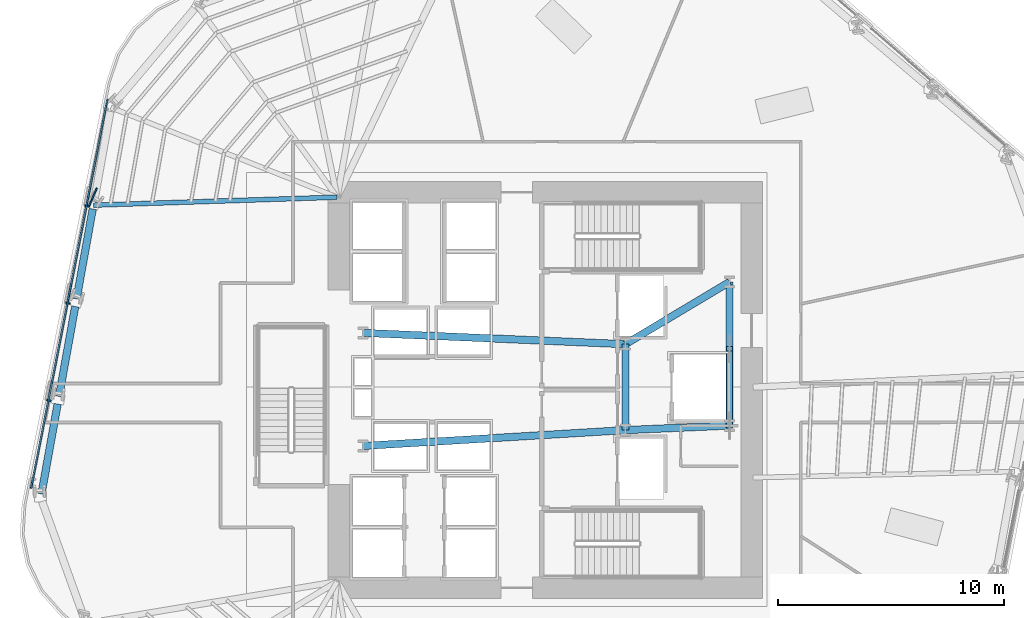
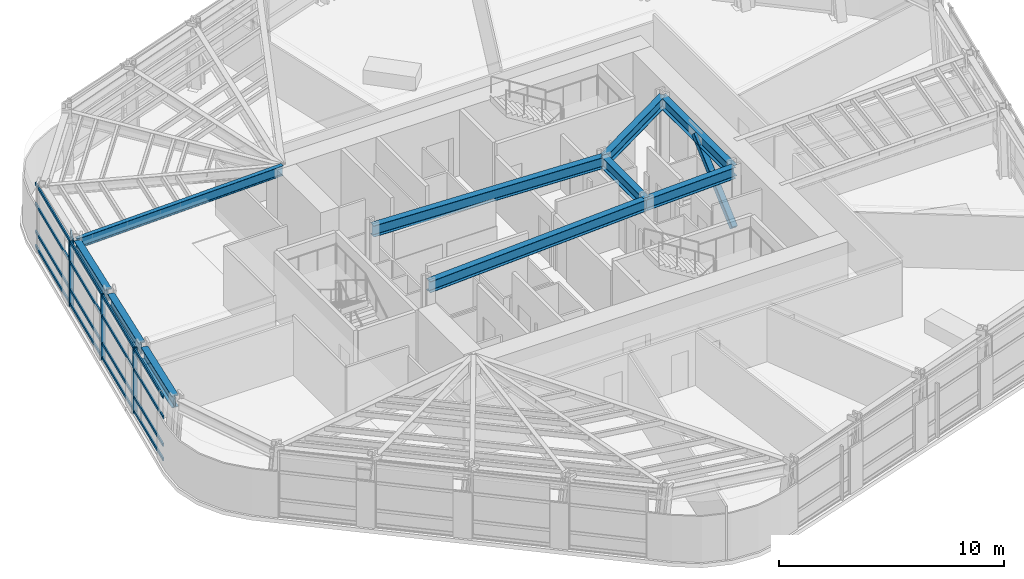
# One storey, part 4 of 16: 10 beams, 9 members, 1 element without a shape of its own.
"""IFC4 building model written with IfcOpenShell, lengths in metres."""

from ifc_helpers import new_model, si_unit, direction, frame, origin, origin_2d, place, context, subcontext, project, spatial, rectangle, hollow_rectangle, i_section, extrude, material, layer, layer_set, material_profile, profile_set, type_object, element, aggregate, save


model = new_model("IFC4")

# Units and contexts
model_context = context("Model", 3, precision=1e-05, world=origin(), true_north=direction((0.0, 1.0)))
body_context = subcontext(model_context, "Body", "Model", "MODEL_VIEW")
ifc_project = project(units=[si_unit("LENGTHUNIT", "METRE"), si_unit("AREAUNIT", "SQUARE_METRE"), si_unit("VOLUMEUNIT", "CUBIC_METRE"), si_unit("PLANEANGLEUNIT", "RADIAN"), si_unit("MASSUNIT", "GRAM", prefix="KILO")], contexts=[model_context])

# Site, building, storey
site_placement = place(None, origin())
site = spatial("IfcSite", under=ifc_project, at=site_placement, CompositionType="ELEMENT")
building_placement = place(site_placement, origin())
building = spatial("IfcBuilding", under=site, at=building_placement, Name="Valkerne Bourse Tower", CompositionType="ELEMENT")
storey_placement = place(building_placement, frame((0.0, 0.0, 104.800048828125)))
storey = spatial("IfcBuildingStorey", under=building, at=storey_placement, Name="L26", CompositionType="ELEMENT", Elevation=104.800048828125)

# Beams
ifc_material_1 = material(Name="Steel ASTM A992", Category="steel")
ifc_material_profile_1 = material_profile(ifc_material_1, i_section(OverallWidth=0.209228515625, OverallDepth=0.533447265625, WebThickness=0.01025390625, FlangeThickness=0.015625, FilletRadius=0.017822265625, at=origin_2d()), Name="W21X62")
ifc_profile_set_1 = profile_set([ifc_material_profile_1], Name="Steel ASTM A992")
beam_type_1 = type_object("IfcBeamType", Name="BM-W21X62", PredefinedType="JOIST", material=ifc_profile_set_1)
beam_1_placement = place(storey_placement, frame((26.82177734375, 35.048095703125, 3.313232421875), z_axis=(0.999467733602, 0.032622836915, 0.0), x_axis=(-0.032622836915, 0.999467733602, 0.0)))
element("IfcBeam", 1, at=beam_1_placement, inside=storey, type_object=beam_type_1, Name="L26 Radial Composite Floor Beam 11", PredefinedType="JOIST", context=body_context, shape_type="SweptSolid", body=[
    extrude(i_section(OverallWidth=0.209228515625, OverallDepth=0.533447265625, WebThickness=0.01025390625, FlangeThickness=0.015625, FilletRadius=0.017822265625, at=origin_2d()), origin(), (0.0, 0.0, 1.0), 10.7841796875),
])
ifc_material_profile_2 = material_profile(ifc_material_1, i_section(OverallWidth=0.3251953125, OverallDepth=0.612060546875, WebThickness=0.0126953125, FlangeThickness=0.01904296875, FilletRadius=0.020263671875, at=origin_2d()), Name="W24X104")
ifc_profile_set_2 = profile_set([ifc_material_profile_2], Name="Steel ASTM A992")
beam_type_2 = type_object("IfcBeamType", Name="BM-W24X104", PredefinedType="BEAM", material=ifc_profile_set_2)
beam_2_placement = place(storey_placement, frame((50.35009765625, 25.10009765625, 3.27392578125), z_axis=(0.0, 1.0, 0.0), x_axis=(-1.0, 0.0, 0.0)))
element("IfcBeam", 2, at=beam_2_placement, inside=storey, type_object=beam_type_2, Name="L26 Core Frame Girder CG-CE", PredefinedType="BEAM", context=body_context, shape_type="SweptSolid", body=[
    extrude(i_section(OverallWidth=0.3251953125, OverallDepth=0.612060546875, WebThickness=0.0126953125, FlangeThickness=0.01904296875, FilletRadius=0.020263671875, at=origin_2d()), origin(), (0.0, 0.0, 1.0), 3.7998046875),
])
beam_3_placement = place(storey_placement, frame((50.35009765625, 25.10009765625, 3.27392578125), z_axis=(0.999056558506, 0.043428019819, 0.0), x_axis=(-0.043428019819, 0.999056558506, 0.0)))
element("IfcBeam", 3, at=beam_3_placement, inside=storey, type_object=beam_type_2, Name="L26 Core Frame Girder CG-SE", PredefinedType="BEAM", context=body_context, shape_type="SweptSolid", body=[
    extrude(i_section(OverallWidth=0.3251953125, OverallDepth=0.612060546875, WebThickness=0.0126953125, FlangeThickness=0.01904296875, FilletRadius=0.020263671875, at=origin_2d()), origin(), (0.0, 0.0, 1.0), 4.604248046875),
])
beam_4_placement = place(storey_placement, frame((50.35009765625, 28.89990234375, 3.27392578125), z_axis=(0.858307823492, 0.513135148019, 0.0), x_axis=(-0.513135148019, 0.858307823492, 0.0)))
element("IfcBeam", 4, at=beam_4_placement, inside=storey, type_object=beam_type_2, Name="L26 Core Frame Girder CG-NE", PredefinedType="BEAM", context=body_context, shape_type="SweptSolid", body=[
    extrude(i_section(OverallWidth=0.3251953125, OverallDepth=0.612060546875, WebThickness=0.0126953125, FlangeThickness=0.01904296875, FilletRadius=0.020263671875, at=origin_2d()), origin(), (0.0, 0.0, 1.0), 5.359130859375),
])
beam_5_placement = place(storey_placement, frame((54.949951171875, 25.300048828125, 3.27392578125), z_axis=(0.0, 1.0, 0.0), x_axis=(-1.0, 0.0, 0.0)))
element("IfcBeam", 5, at=beam_5_placement, inside=storey, type_object=beam_type_2, Name="L26 Core Frame Girder CG-EE", PredefinedType="BEAM", context=body_context, shape_type="SweptSolid", body=[
    extrude(i_section(OverallWidth=0.3251953125, OverallDepth=0.612060546875, WebThickness=0.0126953125, FlangeThickness=0.01904296875, FilletRadius=0.020263671875, at=origin_2d()), origin(), (0.0, 0.0, 1.0), 6.349853515625),
])
beam_6_placement = place(storey_placement, frame((38.75, 24.39990234375, 3.27392578125), z_axis=(0.998183228389, 0.060251494276, 0.0), x_axis=(-0.060251494276, 0.998183228389, 0.0)))
element("IfcBeam", 6, at=beam_6_placement, inside=storey, type_object=beam_type_2, Name="L26 Core Frame Girder CG-SW", PredefinedType="BEAM", context=body_context, shape_type="SweptSolid", body=[
    extrude(i_section(OverallWidth=0.3251953125, OverallDepth=0.612060546875, WebThickness=0.0126953125, FlangeThickness=0.01904296875, FilletRadius=0.020263671875, at=origin_2d()), origin(), (0.0, 0.0, 1.0), 11.62109375),
])
beam_7_placement = place(storey_placement, frame((38.75, 29.39990234375, 3.27392578125), z_axis=(0.999072354402, -0.043063101019, 0.0), x_axis=(0.043063101019, 0.999072354402, 0.0)))
element("IfcBeam", 7, at=beam_7_placement, inside=storey, type_object=beam_type_2, Name="L26 Core Frame Girder CG-NW", PredefinedType="BEAM", context=body_context, shape_type="SweptSolid", body=[
    extrude(i_section(OverallWidth=0.3251953125, OverallDepth=0.612060546875, WebThickness=0.0126953125, FlangeThickness=0.01904296875, FilletRadius=0.020263671875, at=origin_2d()), origin(), (0.0, 0.0, 1.0), 11.61083984375),
])
ifc_material_profile_3 = material_profile(ifc_material_1, i_section(OverallWidth=0.330078125, OverallDepth=0.647705078125, WebThickness=0.0205078125, FlangeThickness=0.037109375, FilletRadius=0.020263671875, at=origin_2d()), Name="W24X192")
ifc_profile_set_3 = profile_set([ifc_material_profile_3], Name="Steel ASTM A992")
beam_type_3 = type_object("IfcBeamType", Name="BM-W24X192", PredefinedType="SPANDREL", material=ifc_profile_set_3)
for number, where, z_axis, x_axis, name in (
    (8, (26.79150390625, 34.880615234375, 3.256103515625), (-0.177057069525, -0.984200586329, 0.0), (0.984200586329, -0.177057069525, 0.0), "L26 Hexagonal Spandrel Ring Beam 11"),
    (9, (26.015380859375, 30.56689453125, 3.256103515625), (-0.177057069525, -0.984200586329, 0.0), (0.984200586329, -0.177057069525, 0.0), "L26 Hexagonal Spandrel Ring Beam 12"),
):
    element("IfcBeam", number, at=place(storey_placement, frame(where, z_axis=z_axis, x_axis=x_axis)), inside=storey, type_object=beam_type_3, Name=name, PredefinedType="SPANDREL", context=body_context, shape_type="SweptSolid", body=[
        extrude(i_section(OverallWidth=0.330078125, OverallDepth=0.647705078125, WebThickness=0.0205078125, FlangeThickness=0.037109375, FilletRadius=0.020263671875, at=origin_2d()), origin(), (0.0, 0.0, 1.0), 4.04296875),
    ])
beam_8_placement = place(storey_placement, frame((25.2392578125, 26.25341796875, 3.256103515625), z_axis=(-0.177105037494, -0.984191955715, 0.0), x_axis=(0.984191955715, -0.177105037494, 0.0)))
element("IfcBeam", 10, at=beam_8_placement, inside=storey, type_object=beam_type_3, Name="L26 Hexagonal Spandrel Ring Beam 13", PredefinedType="SPANDREL", context=body_context, shape_type="SweptSolid", body=[
    extrude(i_section(OverallWidth=0.330078125, OverallDepth=0.647705078125, WebThickness=0.0205078125, FlangeThickness=0.037109375, FilletRadius=0.020263671875, at=origin_2d()), origin(), (0.0, 0.0, 1.0), 4.043212890625),
])

# Curtain wall, members
ifc_material_2 = material(Name="Aluminium AA 6063-T6", Category="aluminium")
ifc_layer = layer(ifc_material_2, 0.22998046875)
ifc_layer_set = layer_set([ifc_layer], Name="Aluminium AA 6063-T6")
curtain_wall_type = type_object("IfcCurtainWallType", Name="CW-02", PredefinedType="NOTDEFINED", material=ifc_layer_set)
curtain_wall_placement = place(storey_placement, origin())
curtain_wall = element("IfcCurtainWall", 11, at=curtain_wall_placement, inside=storey, type_object=curtain_wall_type, Name="L26 Hexagonal Stick Curtain Wall Face 3", PredefinedType="NOTDEFINED")
ifc_material_profile_4 = material_profile(ifc_material_2, rectangle(XDim=0.074951171875, YDim=0.199951171875, at=origin_2d()), Name="CWM-75X200")
ifc_profile_set_4 = profile_set([ifc_material_profile_4], Name="Aluminium AA 6063-T6")
member_type_1 = type_object("IfcMemberType", Name="CW-MUL-220X75", PredefinedType="MULLION", material=ifc_profile_set_4)
member_1_placement = place(storey_placement, frame((26.5361328125, 35.01416015625, 0.0), z_axis=(0.0, 0.0, 1.0), x_axis=(-0.192512679825, -0.981294485925, 0.0)))
member_1 = element("IfcMember", 12, at=member_1_placement, type_object=member_type_1, Name="CW-L26-F3 Jamb Mullion 01A", PredefinedType="MULLION", context=body_context, shape_type="SweptSolid", body=[
    extrude(rectangle(XDim=0.074951171875, YDim=0.199951171875, at=origin_2d()), origin(), (0.0, 0.0, 1.0), 3.579833984375),
])
member_2_placement = place(storey_placement, frame((25.6923828125, 30.713134765625, 0.0), z_axis=(0.0, 0.0, 1.0), x_axis=(-0.192516989941, -0.981293640346, 0.0)))
member_2 = element("IfcMember", 13, at=member_2_placement, type_object=member_type_1, Name="CW-L26-F3 Jamb Mullion 02A", PredefinedType="MULLION", context=body_context, shape_type="SweptSolid", body=[
    extrude(rectangle(XDim=0.074951171875, YDim=0.199951171875, at=origin_2d()), origin(), (0.0, 0.0, 1.0), 3.579833984375),
])
member_3_placement = place(storey_placement, frame((24.848388671875, 26.412109375, 0.0), z_axis=(0.0, 0.0, 1.0), x_axis=(-0.192538959662, -0.981289329919, 0.0)))
member_3 = element("IfcMember", 14, at=member_3_placement, type_object=member_type_1, Name="CW-L26-F3 Jamb Mullion 03A", PredefinedType="MULLION", context=body_context, shape_type="SweptSolid", body=[
    extrude(rectangle(XDim=0.074951171875, YDim=0.199951171875, at=origin_2d()), origin(), (0.0, 0.0, 1.0), 3.579833984375),
])
ifc_material_profile_5 = material_profile(ifc_material_2, rectangle(XDim=0.074951171875, YDim=0.14990234375, at=origin_2d()), Name="CWT-75X150")
ifc_profile_set_5 = profile_set([ifc_material_profile_5], Name="Aluminium AA 6063-T6")
member_type_2 = type_object("IfcMemberType", Name="CW-TRN-180X65", PredefinedType="USERDEFINED", material=ifc_profile_set_5)
member_4_placement = place(storey_placement, frame((27.441162109375, 39.731201171875, 0.119873046875), z_axis=(-0.192518319952, -0.981293379414, 0.0), x_axis=(0.981293379414, -0.192518319952, 0.0)))
member_4 = element("IfcMember", 15, at=member_4_placement, type_object=member_type_2, Name="CW-L26-F3 Continuous Face Transom 1", ObjectType="TRANSOM", PredefinedType="USERDEFINED", context=body_context, shape_type="SweptSolid", body=[
    extrude(rectangle(XDim=0.074951171875, YDim=0.14990234375, at=origin_2d()), origin(), (0.0, 0.0, 1.0), 17.531982421875),
])
member_5_placement = place(storey_placement, frame((27.441162109375, 39.731201171875, 0.89990234375), z_axis=(-0.192518319952, -0.981293379414, 0.0), x_axis=(0.981293379414, -0.192518319952, 0.0)))
member_5 = element("IfcMember", 16, at=member_5_placement, type_object=member_type_2, Name="CW-L26-F3 Continuous Face Transom 2", ObjectType="TRANSOM", PredefinedType="USERDEFINED", context=body_context, shape_type="SweptSolid", body=[
    extrude(rectangle(XDim=0.074951171875, YDim=0.14990234375, at=origin_2d()), origin(), (0.0, 0.0, 1.0), 17.531982421875),
])
member_6_placement = place(storey_placement, frame((27.441162109375, 39.731201171875, 2.39990234375), z_axis=(-0.192518319952, -0.981293379414, 0.0), x_axis=(0.981293379414, -0.192518319952, 0.0)))
member_6 = element("IfcMember", 17, at=member_6_placement, type_object=member_type_2, Name="CW-L26-F3 Continuous Face Transom 3", ObjectType="TRANSOM", PredefinedType="USERDEFINED", context=body_context, shape_type="SweptSolid", body=[
    extrude(rectangle(XDim=0.074951171875, YDim=0.14990234375, at=origin_2d()), origin(), (0.0, 0.0, 1.0), 17.531982421875),
])
member_7_placement = place(storey_placement, frame((27.441162109375, 39.731201171875, 3.5), z_axis=(-0.192518319952, -0.981293379414, 0.0), x_axis=(0.981293379414, -0.192518319952, 0.0)))
member_7 = element("IfcMember", 18, at=member_7_placement, type_object=member_type_2, Name="CW-L26-F3 Continuous Face Transom 4", ObjectType="TRANSOM", PredefinedType="USERDEFINED", context=body_context, shape_type="SweptSolid", body=[
    extrude(rectangle(XDim=0.074951171875, YDim=0.14990234375, at=origin_2d()), origin(), (0.0, 0.0, 1.0), 17.531982421875),
])
aggregate(curtain_wall, [member_4, member_5, member_6, member_7, member_1, member_2, member_3])

# Members
ifc_material_3 = material(Name="Bronze Anodised Aluminium AA 6063-T6", Category="aluminium")
ifc_material_profile_6 = material_profile(ifc_material_3, rectangle(XDim=0.070068359375, YDim=0.89990234375, at=origin_2d()), Name="FIN-70X900")
ifc_profile_set_6 = profile_set([ifc_material_profile_6], Name="Bronze Anodised Aluminium AA 6063-T6")
member_type_3 = type_object("IfcMemberType", Name="FIN-SOLAR-900", PredefinedType="USERDEFINED", material=ifc_profile_set_6)
member_8_placement = place(storey_placement, frame((26.793701171875, 35.3916015625, 0.00390625), z_axis=(0.0, 0.0, 1.0), x_axis=(-0.917254033821, 0.398302695748, 0.0)))
element("IfcMember", 19, at=member_8_placement, inside=storey, type_object=member_type_3, Name="L26 Bronze Anodised Solar Fin F3-01", ObjectType="SOLAR_FIN", PredefinedType="USERDEFINED", context=body_context, shape_type="SweptSolid", body=[
    extrude(rectangle(XDim=0.070068359375, YDim=0.89990234375, at=origin_2d()), origin(), (0.0, 0.0, 1.0), 3.572021484375),
])
ifc_material_4 = material(Name="Steel ASTM A500 Grade C", Category="steel")
ifc_material_profile_7 = material_profile(ifc_material_4, hollow_rectangle(XDim=0.300048828125, YDim=0.300048828125, WallThickness=0.012451171875, OuterFilletRadius=0.02490234375, at=origin_2d()), Name="HSS300X300X12.5")
ifc_profile_set_7 = profile_set([ifc_material_profile_7], Name="Steel ASTM A500 Grade C")
member_type_4 = type_object("IfcMemberType", Name="MBR-HSS300X300X12.5", PredefinedType="STRUT", material=ifc_profile_set_7)
member_9_placement = place(storey_placement, frame((54.949951171875, 25.300048828125, 0.219970703125), z_axis=(0.0, 0.743941933778, 0.668244266094), x_axis=(-1.0, 0.0, 0.0)))
element("IfcMember", 20, at=member_9_placement, inside=storey, type_object=member_type_4, Name="L26 Core Service Pier Lateral Brace", PredefinedType="STRUT", context=body_context, shape_type="SweptSolid", body=[
    extrude(hollow_rectangle(XDim=0.300048828125, YDim=0.300048828125, WallThickness=0.012451171875, OuterFilletRadius=0.02490234375, at=origin_2d()), origin(), (0.0, 0.0, 1.0), 4.570068359375),
])

save(model, "model.ifc")
